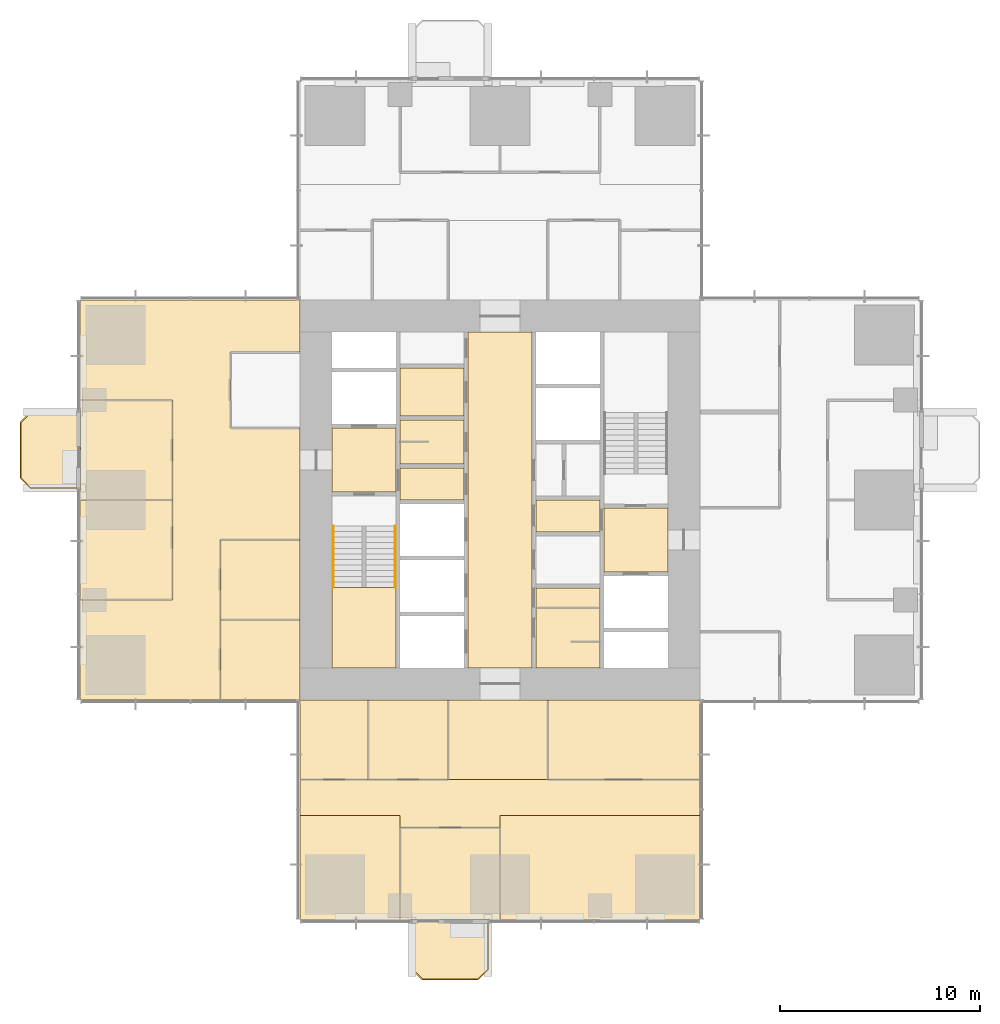
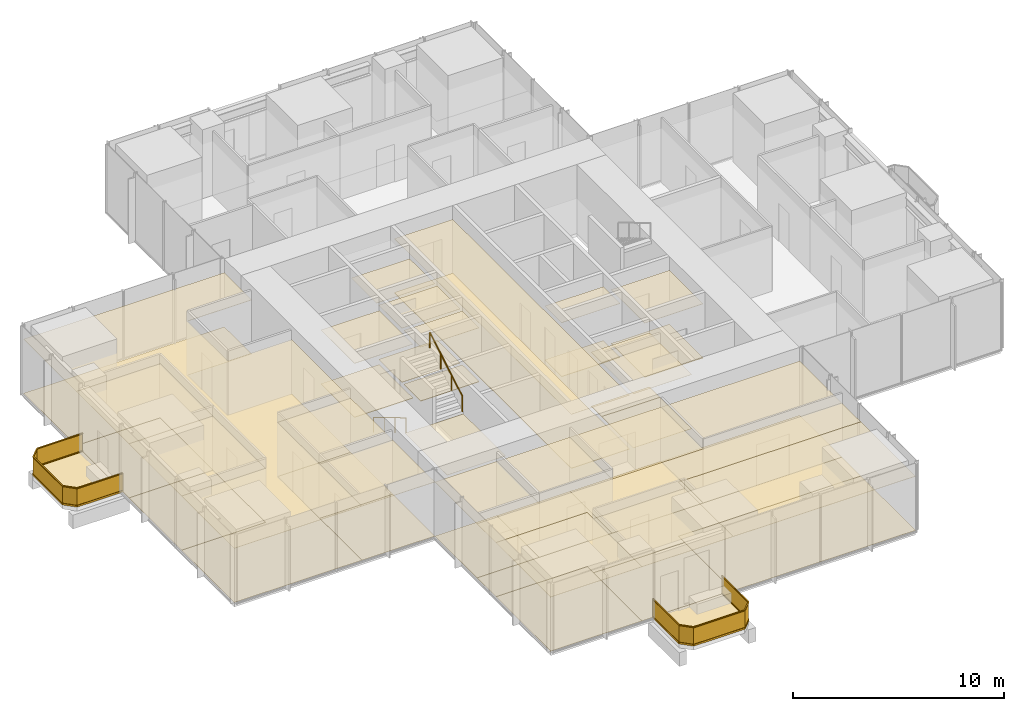
# One storey, part 12 of 14: 46 coverings, 4 railings.
"""IFC4 building model written with IfcOpenShell, lengths in metres."""

from ifc_helpers import new_model, si_unit, direction, frame, origin, origin_2d, place, context, subcontext, project, spatial, polyline, rectangle, circle, outline, extrude, material, layer, layer_set, type_object, element, save


model = new_model("IFC4")

# Units and contexts
model_context = context("Model", 3, precision=1e-05, world=origin(), true_north=direction((0.0, 1.0)))
body_context = subcontext(model_context, "Body", "Model", "MODEL_VIEW")
ifc_project = project(units=[si_unit("LENGTHUNIT", "METRE"), si_unit("AREAUNIT", "SQUARE_METRE"), si_unit("VOLUMEUNIT", "CUBIC_METRE"), si_unit("PLANEANGLEUNIT", "RADIAN"), si_unit("MASSUNIT", "GRAM", prefix="KILO")], contexts=[model_context])

# Site, building, storey
site_placement = place(None, origin())
site = spatial("IfcSite", under=ifc_project, at=site_placement, CompositionType="ELEMENT")
building_placement = place(site_placement, origin())
building = spatial("IfcBuilding", under=site, at=building_placement, Name="Svetlomir Tower", CompositionType="ELEMENT")
storey_placement = place(building_placement, frame((0.0, 0.0, 108.5)))
storey = spatial("IfcBuildingStorey", under=building, at=storey_placement, Name="L25", CompositionType="ELEMENT", Elevation=108.5)

# Railings
ifc_material_1 = material(Name="Bronze anodised aluminium and laminated glass", Category="aluminium")
railing_type_1 = type_object("IfcRailingType", Name="BALCONY GUARD GR1 1100", PredefinedType="GUARDRAIL", material=ifc_material_1)
railing_1_placement = place(storey_placement, frame((16.60009765625, 0.0, 0.0)))
element("IfcRailing", 1, at=railing_1_placement, inside=storey, type_object=railing_type_1, Name="Balcony guard S L25", PredefinedType="GUARDRAIL", context=body_context, shape_type="SweptSolid", body=[
    extrude(rectangle(XDim=0.06005859375, YDim=0.10009765625, at=origin_2d()), frame((0.0, 0.0, 0.050048828125), z_axis=(0.0, -1.0, 0.0), x_axis=(1.0, 0.0, 0.0)), (0.0, 0.0, 1.0), 2.5),
    extrude(rectangle(XDim=0.021484375, YDim=0.960205078125, at=origin_2d()), frame((0.0, 0.0, 0.580078125), z_axis=(0.0, -1.0, 0.0), x_axis=(1.0, 0.0, 0.0)), (0.0, 0.0, 1.0), 2.5),
    extrude(rectangle(XDim=0.06005859375, YDim=0.0400390625, at=origin_2d()), frame((0.0, 0.0, 1.080078125), z_axis=(0.0, -1.0, 0.0), x_axis=(1.0, 0.0, 0.0)), (0.0, 0.0, 1.0), 2.5),
    extrude(rectangle(XDim=0.06005859375, YDim=0.10009765625, at=origin_2d()), frame((0.0, -2.5, 0.050048828125), z_axis=(0.707106781187, -0.707106781187, 0.0), x_axis=(0.707106781187, 0.707106781187, 0.0)), (0.0, 0.0, 1.0), 0.70703125),
    extrude(rectangle(XDim=0.021484375, YDim=0.960205078125, at=origin_2d()), frame((0.0, -2.5, 0.580078125), z_axis=(0.707106781187, -0.707106781187, 0.0), x_axis=(0.707106781187, 0.707106781187, 0.0)), (0.0, 0.0, 1.0), 0.70703125),
    extrude(rectangle(XDim=0.06005859375, YDim=0.0400390625, at=origin_2d()), frame((0.0, -2.5, 1.080078125), z_axis=(0.707106781187, -0.707106781187, 0.0), x_axis=(0.707106781187, 0.707106781187, 0.0)), (0.0, 0.0, 1.0), 0.70703125),
    extrude(rectangle(XDim=0.06005859375, YDim=0.10009765625, at=origin_2d()), frame((0.5, -3.0, 0.050048828125), z_axis=(1.0, 0.0, 0.0), x_axis=(0.0, 1.0, 0.0)), (0.0, 0.0, 1.0), 2.7998046875),
    extrude(rectangle(XDim=0.021484375, YDim=0.960205078125, at=origin_2d()), frame((0.5, -3.0, 0.580078125), z_axis=(1.0, 0.0, 0.0), x_axis=(0.0, 1.0, 0.0)), (0.0, 0.0, 1.0), 2.7998046875),
    extrude(rectangle(XDim=0.06005859375, YDim=0.0400390625, at=origin_2d()), frame((0.5, -3.0, 1.080078125), z_axis=(1.0, 0.0, 0.0), x_axis=(0.0, 1.0, 0.0)), (0.0, 0.0, 1.0), 2.7998046875),
    extrude(rectangle(XDim=0.06005859375, YDim=0.10009765625, at=origin_2d()), frame((3.2998046875, -3.0, 0.050048828125), z_axis=(0.707106781187, 0.707106781187, 0.0), x_axis=(-0.707106781187, 0.707106781187, 0.0)), (0.0, 0.0, 1.0), 0.70703125),
    extrude(rectangle(XDim=0.021484375, YDim=0.960205078125, at=origin_2d()), frame((3.2998046875, -3.0, 0.580078125), z_axis=(0.707106781187, 0.707106781187, 0.0), x_axis=(-0.707106781187, 0.707106781187, 0.0)), (0.0, 0.0, 1.0), 0.70703125),
    extrude(rectangle(XDim=0.06005859375, YDim=0.0400390625, at=origin_2d()), frame((3.2998046875, -3.0, 1.080078125), z_axis=(0.707106781187, 0.707106781187, 0.0), x_axis=(-0.707106781187, 0.707106781187, 0.0)), (0.0, 0.0, 1.0), 0.70703125),
    extrude(rectangle(XDim=0.06005859375, YDim=0.10009765625, at=origin_2d()), frame((3.7998046875, -2.5, 0.050048828125), z_axis=(0.0, 1.0, 0.0), x_axis=(-1.0, 0.0, 0.0)), (0.0, 0.0, 1.0), 2.5),
    extrude(rectangle(XDim=0.021484375, YDim=0.960205078125, at=origin_2d()), frame((3.7998046875, -2.5, 0.580078125), z_axis=(0.0, 1.0, 0.0), x_axis=(-1.0, 0.0, 0.0)), (0.0, 0.0, 1.0), 2.5),
    extrude(rectangle(XDim=0.06005859375, YDim=0.0400390625, at=origin_2d()), frame((3.7998046875, -2.5, 1.080078125), z_axis=(0.0, 1.0, 0.0), x_axis=(-1.0, 0.0, 0.0)), (0.0, 0.0, 1.0), 2.5),
])
railing_2_placement = place(storey_placement, frame((0.0, 25.39990234375, 0.0)))
element("IfcRailing", 2, at=railing_2_placement, inside=storey, type_object=railing_type_1, Name="Balcony guard W L25", PredefinedType="GUARDRAIL", context=body_context, shape_type="SweptSolid", body=[
    extrude(rectangle(XDim=0.06005859375, YDim=0.10009765625, at=origin_2d()), frame((0.0, 0.0, 0.050048828125), z_axis=(-1.0, 0.0, 0.0), x_axis=(0.0, -1.0, 0.0)), (0.0, 0.0, 1.0), 2.5),
    extrude(rectangle(XDim=0.021484375, YDim=0.960205078125, at=origin_2d()), frame((0.0, 0.0, 0.580078125), z_axis=(-1.0, 0.0, 0.0), x_axis=(0.0, -1.0, 0.0)), (0.0, 0.0, 1.0), 2.5),
    extrude(rectangle(XDim=0.06005859375, YDim=0.0400390625, at=origin_2d()), frame((0.0, 0.0, 1.080078125), z_axis=(-1.0, 0.0, 0.0), x_axis=(0.0, -1.0, 0.0)), (0.0, 0.0, 1.0), 2.5),
    extrude(rectangle(XDim=0.06005859375, YDim=0.10009765625, at=origin_2d()), frame((-2.5, 0.0, 0.050048828125), z_axis=(-0.707106781187, -0.707106781187, 0.0), x_axis=(0.707106781187, -0.707106781187, 0.0)), (0.0, 0.0, 1.0), 0.70703125),
    extrude(rectangle(XDim=0.021484375, YDim=0.960205078125, at=origin_2d()), frame((-2.5, 0.0, 0.580078125), z_axis=(-0.707106781187, -0.707106781187, 0.0), x_axis=(0.707106781187, -0.707106781187, 0.0)), (0.0, 0.0, 1.0), 0.70703125),
    extrude(rectangle(XDim=0.06005859375, YDim=0.0400390625, at=origin_2d()), frame((-2.5, 0.0, 1.080078125), z_axis=(-0.707106781187, -0.707106781187, 0.0), x_axis=(0.707106781187, -0.707106781187, 0.0)), (0.0, 0.0, 1.0), 0.70703125),
    extrude(rectangle(XDim=0.06005859375, YDim=0.10009765625, at=origin_2d()), frame((-3.0, -0.5, 0.050048828125), z_axis=(0.0, -1.0, 0.0), x_axis=(1.0, 0.0, 0.0)), (0.0, 0.0, 1.0), 2.7998046875),
    extrude(rectangle(XDim=0.021484375, YDim=0.960205078125, at=origin_2d()), frame((-3.0, -0.5, 0.580078125), z_axis=(0.0, -1.0, 0.0), x_axis=(1.0, 0.0, 0.0)), (0.0, 0.0, 1.0), 2.7998046875),
    extrude(rectangle(XDim=0.06005859375, YDim=0.0400390625, at=origin_2d()), frame((-3.0, -0.5, 1.080078125), z_axis=(0.0, -1.0, 0.0), x_axis=(1.0, 0.0, 0.0)), (0.0, 0.0, 1.0), 2.7998046875),
    extrude(rectangle(XDim=0.06005859375, YDim=0.10009765625, at=origin_2d()), frame((-3.0, -3.2998046875, 0.050048828125), z_axis=(0.707106781187, -0.707106781187, 0.0), x_axis=(0.707106781187, 0.707106781187, 0.0)), (0.0, 0.0, 1.0), 0.70703125),
    extrude(rectangle(XDim=0.021484375, YDim=0.960205078125, at=origin_2d()), frame((-3.0, -3.2998046875, 0.580078125), z_axis=(0.707106781187, -0.707106781187, 0.0), x_axis=(0.707106781187, 0.707106781187, 0.0)), (0.0, 0.0, 1.0), 0.70703125),
    extrude(rectangle(XDim=0.06005859375, YDim=0.0400390625, at=origin_2d()), frame((-3.0, -3.2998046875, 1.080078125), z_axis=(0.707106781187, -0.707106781187, 0.0), x_axis=(0.707106781187, 0.707106781187, 0.0)), (0.0, 0.0, 1.0), 0.70703125),
    extrude(rectangle(XDim=0.06005859375, YDim=0.10009765625, at=origin_2d()), frame((-2.5, -3.7998046875, 0.050048828125), z_axis=(1.0, 0.0, 0.0), x_axis=(0.0, 1.0, 0.0)), (0.0, 0.0, 1.0), 2.5),
    extrude(rectangle(XDim=0.021484375, YDim=0.960205078125, at=origin_2d()), frame((-2.5, -3.7998046875, 0.580078125), z_axis=(1.0, 0.0, 0.0), x_axis=(0.0, 1.0, 0.0)), (0.0, 0.0, 1.0), 2.5),
    extrude(rectangle(XDim=0.06005859375, YDim=0.0400390625, at=origin_2d()), frame((-2.5, -3.7998046875, 1.080078125), z_axis=(1.0, 0.0, 0.0), x_axis=(0.0, 1.0, 0.0)), (0.0, 0.0, 1.0), 2.5),
])

# Coverings
ifc_material_2 = material(Name="Granite paving slabs on pedestals", Category="masonry")
ifc_layer_1 = layer(ifc_material_2, 0.0400390625)
ifc_layer_set_1 = layer_set([ifc_layer_1], Name="Granite paving slabs on pedestals")
covering_type_1 = type_object("IfcCoveringType", Name="BALCONY PAVING 40", PredefinedType="USERDEFINED", material=ifc_layer_set_1)
covering_1_placement = place(storey_placement, origin())
element("IfcCovering", 3, at=covering_1_placement, inside=storey, type_object=covering_type_1, Name="Balcony paving S L25", ObjectType="BALCONY PAVING", PredefinedType="USERDEFINED", context=body_context, shape_type="SweptSolid", body=[
    extrude(outline(polyline([(16.60009765625, -2.5), (17.10009765625, -3.0), (19.89990234375, -3.0), (20.39990234375, -2.5), (20.39990234375, 0.0), (16.60009765625, 0.0), (16.60009765625, -2.5)])), origin(), (0.0, 0.0, 1.0), 0.0400390625),
])
covering_2_placement = place(storey_placement, origin())
element("IfcCovering", 4, at=covering_2_placement, inside=storey, type_object=covering_type_1, Name="Balcony paving W L25", ObjectType="BALCONY PAVING", PredefinedType="USERDEFINED", context=body_context, shape_type="SweptSolid", body=[
    extrude(outline(polyline([(-2.5, 21.60009765625), (0.0, 21.60009765625), (0.0, 25.39990234375), (-2.5, 25.39990234375), (-3.0, 24.89990234375), (-3.0, 22.10009765625), (-2.5, 21.60009765625)])), origin(), (0.0, 0.0, 1.0), 0.0400390625),
])
ifc_material_3 = material(Name="Carpet tile", Category="textile")
ifc_layer_2 = layer(ifc_material_3, 0.010009765625)
ifc_layer_set_2 = layer_set([ifc_layer_2], Name="Carpet tile")
covering_type_2 = type_object("IfcCoveringType", Name="CARPET TILE FLOOR 10", PredefinedType="FLOORING", material=ifc_layer_set_2)
covering_3_placement = place(storey_placement, origin())
element("IfcCovering", 5, at=covering_3_placement, inside=storey, type_object=covering_type_2, Name="Floor finish L25-16", PredefinedType="FLOORING", context=body_context, shape_type="SweptSolid", body=[
    extrude(outline(polyline([(11.0, 7.0), (14.39990234375, 7.0), (14.39990234375, 11.0), (11.0, 11.0), (11.0, 7.0)])), origin(), (0.0, 0.0, 1.0), 0.010009765625),
])
covering_4_placement = place(storey_placement, origin())
element("IfcCovering", 6, at=covering_4_placement, inside=storey, type_object=covering_type_2, Name="Floor finish L25-17", PredefinedType="FLOORING", context=body_context, shape_type="SweptSolid", body=[
    extrude(outline(polyline([(14.39990234375, 7.0), (18.39990234375, 7.0), (18.39990234375, 11.0), (14.39990234375, 11.0), (14.39990234375, 7.0)])), origin(), (0.0, 0.0, 1.0), 0.010009765625),
])
covering_5_placement = place(storey_placement, origin())
element("IfcCovering", 7, at=covering_5_placement, inside=storey, type_object=covering_type_2, Name="Floor finish L25-18", PredefinedType="FLOORING", context=body_context, shape_type="SweptSolid", body=[
    extrude(outline(polyline([(23.39990234375, 7.0), (31.0, 7.0), (31.0, 11.0), (23.39990234375, 11.0), (23.39990234375, 7.0)])), origin(), (0.0, 0.0, 1.0), 0.010009765625),
])
covering_6_placement = place(storey_placement, origin())
element("IfcCovering", 8, at=covering_6_placement, inside=storey, type_object=covering_type_2, Name="Floor finish L25-19", PredefinedType="FLOORING", context=body_context, shape_type="SweptSolid", body=[
    extrude(outline(polyline([(16.0, 0.0), (21.0, 0.0), (21.0, 4.60009765625), (16.0, 4.60009765625), (16.0, 0.0)])), origin(), (0.0, 0.0, 1.0), 0.010009765625),
])
covering_7_placement = place(storey_placement, origin())
element("IfcCovering", 9, at=covering_7_placement, inside=storey, type_object=covering_type_2, Name="Floor finish L25-31", PredefinedType="FLOORING", context=body_context, shape_type="SweptSolid", body=[
    extrude(outline(polyline([(7.0, 11.0), (11.0, 11.0), (11.0, 15.0), (7.0, 15.0), (7.0, 11.0)])), origin(), (0.0, 0.0, 1.0), 0.010009765625),
])
covering_8_placement = place(storey_placement, origin())
element("IfcCovering", 10, at=covering_8_placement, inside=storey, type_object=covering_type_2, Name="Floor finish L25-32", PredefinedType="FLOORING", context=body_context, shape_type="SweptSolid", body=[
    extrude(outline(polyline([(7.0, 15.0), (11.0, 15.0), (11.0, 19.0), (7.0, 19.0), (7.0, 15.0)])), origin(), (0.0, 0.0, 1.0), 0.010009765625),
])
covering_9_placement = place(storey_placement, origin())
element("IfcCovering", 11, at=covering_9_placement, inside=storey, type_object=covering_type_2, Name="Floor finish L25-34", PredefinedType="FLOORING", context=body_context, shape_type="SweptSolid", body=[
    extrude(outline(polyline([(0.0, 16.0), (4.60009765625, 16.0), (4.60009765625, 21.0), (0.0, 21.0), (0.0, 16.0)])), origin(), (0.0, 0.0, 1.0), 0.010009765625),
])
covering_10_placement = place(storey_placement, origin())
element("IfcCovering", 12, at=covering_10_placement, inside=storey, type_object=covering_type_2, Name="Floor finish L25-35", PredefinedType="FLOORING", context=body_context, shape_type="SweptSolid", body=[
    extrude(outline(polyline([(0.0, 21.0), (4.60009765625, 21.0), (4.60009765625, 26.0), (0.0, 26.0), (0.0, 21.0)])), origin(), (0.0, 0.0, 1.0), 0.010009765625),
])
covering_11_placement = place(storey_placement, origin())
element("IfcCovering", 13, at=covering_11_placement, inside=storey, type_object=covering_type_2, Name="Floor finish L25-36", PredefinedType="FLOORING", context=body_context, shape_type="SweptSolid", body=[
    extrude(outline(polyline([(16.0, 4.60009765625), (16.0, 5.199951171875), (11.0, 5.199951171875), (11.0, 7.0), (31.0, 7.0), (31.0, 5.199951171875), (21.0, 5.199951171875), (21.0, 4.60009765625), (16.0, 4.60009765625)])), origin(), (0.0, 0.0, 1.0), 0.010009765625),
])
covering_12_placement = place(storey_placement, origin())
element("IfcCovering", 14, at=covering_12_placement, inside=storey, type_object=covering_type_2, Name="Floor finish L25-38", PredefinedType="FLOORING", context=body_context, shape_type="SweptSolid", body=[
    extrude(outline(polyline([(16.0, 5.199951171875), (16.0, 0.0), (11.0, 0.0), (11.0, 5.199951171875), (16.0, 5.199951171875)])), origin(), (0.0, 0.0, 1.0), 0.010009765625),
])
covering_13_placement = place(storey_placement, origin())
element("IfcCovering", 15, at=covering_13_placement, inside=storey, type_object=covering_type_2, Name="Floor finish L25-39", PredefinedType="FLOORING", context=body_context, shape_type="SweptSolid", body=[
    extrude(outline(polyline([(23.39990234375, 11.0), (23.39990234375, 7.0), (18.39990234375, 7.0), (18.39990234375, 11.0), (23.39990234375, 11.0)])), origin(), (0.0, 0.0, 1.0), 0.010009765625),
])
covering_14_placement = place(storey_placement, origin())
element("IfcCovering", 16, at=covering_14_placement, inside=storey, type_object=covering_type_2, Name="Floor finish L25-40", PredefinedType="FLOORING", context=body_context, shape_type="SweptSolid", body=[
    extrude(outline(polyline([(21.0, 0.0), (21.0, 5.199951171875), (31.0, 5.199951171875), (31.0, 0.0), (21.0, 0.0)])), origin(), (0.0, 0.0, 1.0), 0.010009765625),
])
covering_15_placement = place(storey_placement, origin())
element("IfcCovering", 17, at=covering_15_placement, inside=storey, type_object=covering_type_2, Name="Floor finish L25-45", PredefinedType="FLOORING", context=body_context, shape_type="SweptSolid", body=[
    extrude(outline(polyline([(11.0, 28.39990234375), (7.5, 28.39990234375), (7.5, 24.60009765625), (11.0, 24.60009765625), (11.0, 19.0), (7.0, 19.0), (7.0, 11.0), (0.0, 11.0), (0.0, 16.0), (4.60009765625, 16.0), (4.60009765625, 26.0), (0.0, 26.0), (0.0, 31.0), (11.0, 31.0), (11.0, 28.39990234375)])), origin(), (0.0, 0.0, 1.0), 0.010009765625),
])
ifc_material_4 = material(Name="Ceramic floor tile", Category="ceramic")
ifc_layer_3 = layer(ifc_material_4, 0.014892578125)
ifc_layer_set_3 = layer_set([ifc_layer_3], Name="Ceramic floor tile")
covering_type_3 = type_object("IfcCoveringType", Name="CERAMIC TILE FLOOR 15", PredefinedType="FLOORING", material=ifc_layer_set_3)
covering_16_placement = place(storey_placement, origin())
element("IfcCovering", 18, at=covering_16_placement, inside=storey, type_object=covering_type_3, Name="Floor finish L25-04", PredefinedType="FLOORING", context=body_context, shape_type="SweptSolid", body=[
    extrude(outline(polyline([(16.0, 22.800048828125), (19.199951171875, 22.800048828125), (19.199951171875, 25.0), (16.0, 25.0), (16.0, 22.800048828125)])), origin(), (0.0, 0.0, 1.0), 0.014892578125),
])
covering_17_placement = place(storey_placement, origin())
element("IfcCovering", 19, at=covering_17_placement, inside=storey, type_object=covering_type_3, Name="Floor finish L25-08", PredefinedType="FLOORING", context=body_context, shape_type="SweptSolid", body=[
    extrude(outline(polyline([(22.800048828125, 15.60009765625), (26.0, 15.60009765625), (26.0, 16.60009765625), (22.800048828125, 16.60009765625), (22.800048828125, 15.60009765625)])), origin(), (0.0, 0.0, 1.0), 0.014892578125),
])
covering_18_placement = place(storey_placement, origin())
element("IfcCovering", 20, at=covering_18_placement, inside=storey, type_object=covering_type_3, Name="Floor finish L25-09", PredefinedType="FLOORING", context=body_context, shape_type="SweptSolid", body=[
    extrude(outline(polyline([(22.800048828125, 12.60009765625), (26.0, 12.60009765625), (26.0, 15.60009765625), (22.800048828125, 15.60009765625), (22.800048828125, 12.60009765625)])), origin(), (0.0, 0.0, 1.0), 0.014892578125),
])

# Railings
ifc_material_5 = material(Name="Stainless steel", Category="steel")
railing_type_2 = type_object("IfcRailingType", Name="HANDRAIL HR1 900", PredefinedType="HANDRAIL", material=ifc_material_5)
railing_3_placement = place(storey_placement, frame((12.64990234375, 19.699951171875, 0.166748046875)))
element("IfcRailing", 21, at=railing_3_placement, inside=storey, type_object=railing_type_2, Name="Handrail S1 flight 1 L25", PredefinedType="HANDRAIL", context=body_context, shape_type="SweptSolid", body=[
    extrude(circle(Radius=0.02392578125, at=origin_2d()), frame((0.0, 0.0, 0.8759765625), z_axis=(0.0, -0.859290745958, 0.51148745235), x_axis=(1.0, 0.0, 0.0)), (0.0, 0.0, 1.0), 3.584228515625),
    extrude(circle(Radius=0.02099609375, at=origin_2d()), origin(), (0.0, 0.0, 1.0), 0.851806640625),
    extrude(circle(Radius=0.02099609375, at=origin_2d()), frame((0.0, -1.026611328125, 0.611083984375)), (0.0, 0.0, 1.0), 0.851806640625),
    extrude(circle(Radius=0.02099609375, at=origin_2d()), frame((0.0, -2.05322265625, 1.22216796875)), (0.0, 0.0, 1.0), 0.851806640625),
    extrude(circle(Radius=0.02099609375, at=origin_2d()), frame((0.0, -3.079833984375, 1.833251953125)), (0.0, 0.0, 1.0), 0.851806640625),
])
railing_4_placement = place(storey_placement, frame((15.75, 16.6201171875, 2.166748046875)))
element("IfcRailing", 22, at=railing_4_placement, inside=storey, type_object=railing_type_2, Name="Handrail S1 flight 2 L25", PredefinedType="HANDRAIL", context=body_context, shape_type="SweptSolid", body=[
    extrude(circle(Radius=0.02392578125, at=origin_2d()), frame((0.0, 0.0, 0.8759765625), z_axis=(0.0, 0.859290745958, 0.51148745235), x_axis=(-1.0, 0.0, 0.0)), (0.0, 0.0, 1.0), 3.584228515625),
    extrude(circle(Radius=0.02099609375, at=origin_2d()), origin(), (0.0, 0.0, 1.0), 0.851806640625),
    extrude(circle(Radius=0.02099609375, at=origin_2d()), frame((0.0, 1.026611328125, 0.611083984375)), (0.0, 0.0, 1.0), 0.851806640625),
    extrude(circle(Radius=0.02099609375, at=origin_2d()), frame((0.0, 2.05322265625, 1.22216796875)), (0.0, 0.0, 1.0), 0.851806640625),
    extrude(circle(Radius=0.02099609375, at=origin_2d()), frame((0.0, 3.079833984375, 1.833251953125)), (0.0, 0.0, 1.0), 0.851806640625),
])

# Coverings
ifc_material_6 = material(Name="Moisture resistant plasterboard ceiling", Category="gypsum")
ifc_layer_4 = layer(ifc_material_6, 0.012451171875)
ifc_layer_set_4 = layer_set([ifc_layer_4], Name="Moisture resistant plasterboard ceiling")
covering_type_4 = type_object("IfcCoveringType", Name="MOISTURE RESISTANT CEILING 12.5", PredefinedType="CEILING", material=ifc_layer_set_4)
covering_19_placement = place(storey_placement, frame((0.0, 0.0, 3.137451171875)))
element("IfcCovering", 23, at=covering_19_placement, inside=storey, type_object=covering_type_4, Name="Ceiling L25-04", PredefinedType="CEILING", context=body_context, shape_type="SweptSolid", body=[
    extrude(outline(polyline([(16.0, 22.800048828125), (19.199951171875, 22.800048828125), (19.199951171875, 25.0), (16.0, 25.0), (16.0, 22.800048828125)])), origin(), (0.0, 0.0, 1.0), 0.012451171875),
])
covering_20_placement = place(storey_placement, frame((0.0, 0.0, 3.137451171875)))
element("IfcCovering", 24, at=covering_20_placement, inside=storey, type_object=covering_type_4, Name="Ceiling L25-05", PredefinedType="CEILING", context=body_context, shape_type="SweptSolid", body=[
    extrude(outline(polyline([(16.0, 25.199951171875), (19.199951171875, 25.199951171875), (19.199951171875, 27.60009765625), (16.0, 27.60009765625), (16.0, 25.199951171875)])), origin(), (0.0, 0.0, 1.0), 0.012451171875),
])
covering_21_placement = place(storey_placement, frame((0.0, 0.0, 3.137451171875)))
element("IfcCovering", 25, at=covering_21_placement, inside=storey, type_object=covering_type_4, Name="Ceiling L25-08", PredefinedType="CEILING", context=body_context, shape_type="SweptSolid", body=[
    extrude(outline(polyline([(22.800048828125, 15.60009765625), (26.0, 15.60009765625), (26.0, 16.60009765625), (22.800048828125, 16.60009765625), (22.800048828125, 15.60009765625)])), origin(), (0.0, 0.0, 1.0), 0.012451171875),
])
covering_22_placement = place(storey_placement, frame((0.0, 0.0, 3.137451171875)))
element("IfcCovering", 26, at=covering_22_placement, inside=storey, type_object=covering_type_4, Name="Ceiling L25-09", PredefinedType="CEILING", context=body_context, shape_type="SweptSolid", body=[
    extrude(outline(polyline([(22.800048828125, 12.60009765625), (26.0, 12.60009765625), (26.0, 15.60009765625), (22.800048828125, 15.60009765625), (22.800048828125, 12.60009765625)])), origin(), (0.0, 0.0, 1.0), 0.012451171875),
])
ifc_material_7 = material(Name="Gypsum plasterboard ceiling", Category="gypsum")
ifc_layer_5 = layer(ifc_material_7, 0.014892578125)
ifc_layer_set_5 = layer_set([ifc_layer_5], Name="Gypsum plasterboard ceiling")
covering_type_5 = type_object("IfcCoveringType", Name="PLASTERBOARD CEILING 15", PredefinedType="CEILING", material=ifc_layer_set_5)
covering_23_placement = place(storey_placement, frame((0.0, 0.0, 3.135009765625)))
element("IfcCovering", 27, at=covering_23_placement, inside=storey, type_object=covering_type_5, Name="Ceiling L25-02", PredefinedType="CEILING", context=body_context, shape_type="SweptSolid", body=[
    extrude(outline(polyline([(12.60009765625, 21.39990234375), (15.800048828125, 21.39990234375), (15.800048828125, 24.60009765625), (12.60009765625, 24.60009765625), (12.60009765625, 21.39990234375)])), origin(), (0.0, 0.0, 1.0), 0.014892578125),
])
covering_24_placement = place(storey_placement, frame((0.0, 0.0, 3.135009765625)))
element("IfcCovering", 28, at=covering_24_placement, inside=storey, type_object=covering_type_5, Name="Ceiling L25-03", PredefinedType="CEILING", context=body_context, shape_type="SweptSolid", body=[
    extrude(outline(polyline([(16.0, 21.0), (19.199951171875, 21.0), (19.199951171875, 22.60009765625), (16.0, 22.60009765625), (16.0, 21.0)])), origin(), (0.0, 0.0, 1.0), 0.014892578125),
])
covering_25_placement = place(storey_placement, frame((0.0, 0.0, 3.135009765625)))
element("IfcCovering", 29, at=covering_25_placement, inside=storey, type_object=covering_type_5, Name="Ceiling L25-07", PredefinedType="CEILING", context=body_context, shape_type="SweptSolid", body=[
    extrude(outline(polyline([(19.39990234375, 12.60009765625), (22.60009765625, 12.60009765625), (22.60009765625, 29.39990234375), (19.39990234375, 29.39990234375), (19.39990234375, 12.60009765625)])), origin(), (0.0, 0.0, 1.0), 0.014892578125),
])
covering_26_placement = place(storey_placement, frame((0.0, 0.0, 3.135009765625)))
element("IfcCovering", 30, at=covering_26_placement, inside=storey, type_object=covering_type_5, Name="Ceiling L25-11", PredefinedType="CEILING", context=body_context, shape_type="SweptSolid", body=[
    extrude(outline(polyline([(22.800048828125, 19.39990234375), (26.0, 19.39990234375), (26.0, 21.0), (22.800048828125, 21.0), (22.800048828125, 19.39990234375)])), origin(), (0.0, 0.0, 1.0), 0.014892578125),
])
covering_27_placement = place(storey_placement, frame((0.0, 0.0, 3.135009765625)))
element("IfcCovering", 31, at=covering_27_placement, inside=storey, type_object=covering_type_5, Name="Ceiling L25-12", PredefinedType="CEILING", context=body_context, shape_type="SweptSolid", body=[
    extrude(outline(polyline([(26.199951171875, 17.39990234375), (29.39990234375, 17.39990234375), (29.39990234375, 20.60009765625), (26.199951171875, 20.60009765625), (26.199951171875, 17.39990234375)])), origin(), (0.0, 0.0, 1.0), 0.014892578125),
])
ifc_material_8 = material(Name="Studded rubber floor finish", Category="rubber")
ifc_layer_6 = layer(ifc_material_8, 0.006103515625)
ifc_layer_set_6 = layer_set([ifc_layer_6], Name="Studded rubber floor finish")
covering_type_6 = type_object("IfcCoveringType", Name="RUBBER LANDING FINISH 6", PredefinedType="FLOORING", material=ifc_layer_set_6)
covering_28_placement = place(storey_placement, frame((0.0, 0.0, 2.0)))
element("IfcCovering", 32, at=covering_28_placement, inside=storey, type_object=covering_type_6, Name="Stair S1 landing finish L25", PredefinedType="FLOORING", context=body_context, shape_type="SweptSolid", body=[
    extrude(outline(polyline([(12.60009765625, 12.60009765625), (15.800048828125, 12.60009765625), (15.800048828125, 16.6201171875), (12.60009765625, 16.6201171875), (12.60009765625, 12.60009765625)])), origin(), (0.0, 0.0, 1.0), 0.006103515625),
])
ifc_material_9 = material(Name="Mineral fibre ceiling tile", Category="mineral")
ifc_layer_7 = layer(ifc_material_9, 0.02001953125)
ifc_layer_set_7 = layer_set([ifc_layer_7], Name="Mineral fibre ceiling tile")
covering_type_7 = type_object("IfcCoveringType", Name="SUSPENDED CEILING 20", PredefinedType="CEILING", material=ifc_layer_set_7)
covering_29_placement = place(storey_placement, frame((0.0, 0.0, 3.1298828125)))
element("IfcCovering", 33, at=covering_29_placement, inside=storey, type_object=covering_type_7, Name="Ceiling L25-16", PredefinedType="CEILING", context=body_context, shape_type="SweptSolid", body=[
    extrude(outline(polyline([(11.0, 7.0), (14.39990234375, 7.0), (14.39990234375, 11.0), (11.0, 11.0), (11.0, 7.0)])), origin(), (0.0, 0.0, 1.0), 0.02001953125),
])
covering_30_placement = place(storey_placement, frame((0.0, 0.0, 3.1298828125)))
element("IfcCovering", 34, at=covering_30_placement, inside=storey, type_object=covering_type_7, Name="Ceiling L25-17", PredefinedType="CEILING", context=body_context, shape_type="SweptSolid", body=[
    extrude(outline(polyline([(14.39990234375, 7.0), (18.39990234375, 7.0), (18.39990234375, 11.0), (14.39990234375, 11.0), (14.39990234375, 7.0)])), origin(), (0.0, 0.0, 1.0), 0.02001953125),
])
covering_31_placement = place(storey_placement, frame((0.0, 0.0, 3.1298828125)))
element("IfcCovering", 35, at=covering_31_placement, inside=storey, type_object=covering_type_7, Name="Ceiling L25-18", PredefinedType="CEILING", context=body_context, shape_type="SweptSolid", body=[
    extrude(outline(polyline([(23.39990234375, 7.0), (31.0, 7.0), (31.0, 11.0), (23.39990234375, 11.0), (23.39990234375, 7.0)])), origin(), (0.0, 0.0, 1.0), 0.02001953125),
])
covering_32_placement = place(storey_placement, frame((0.0, 0.0, 3.1298828125)))
element("IfcCovering", 36, at=covering_32_placement, inside=storey, type_object=covering_type_7, Name="Ceiling L25-19", PredefinedType="CEILING", context=body_context, shape_type="SweptSolid", body=[
    extrude(outline(polyline([(16.0, 0.0), (21.0, 0.0), (21.0, 4.60009765625), (16.0, 4.60009765625), (16.0, 0.0)])), origin(), (0.0, 0.0, 1.0), 0.02001953125),
])
covering_33_placement = place(storey_placement, frame((0.0, 0.0, 3.1298828125)))
element("IfcCovering", 37, at=covering_33_placement, inside=storey, type_object=covering_type_7, Name="Ceiling L25-31", PredefinedType="CEILING", context=body_context, shape_type="SweptSolid", body=[
    extrude(outline(polyline([(7.0, 11.0), (11.0, 11.0), (11.0, 15.0), (7.0, 15.0), (7.0, 11.0)])), origin(), (0.0, 0.0, 1.0), 0.02001953125),
])
covering_34_placement = place(storey_placement, frame((0.0, 0.0, 3.1298828125)))
element("IfcCovering", 38, at=covering_34_placement, inside=storey, type_object=covering_type_7, Name="Ceiling L25-32", PredefinedType="CEILING", context=body_context, shape_type="SweptSolid", body=[
    extrude(outline(polyline([(7.0, 15.0), (11.0, 15.0), (11.0, 19.0), (7.0, 19.0), (7.0, 15.0)])), origin(), (0.0, 0.0, 1.0), 0.02001953125),
])
covering_35_placement = place(storey_placement, frame((0.0, 0.0, 3.1298828125)))
element("IfcCovering", 39, at=covering_35_placement, inside=storey, type_object=covering_type_7, Name="Ceiling L25-34", PredefinedType="CEILING", context=body_context, shape_type="SweptSolid", body=[
    extrude(outline(polyline([(0.0, 16.0), (4.60009765625, 16.0), (4.60009765625, 21.0), (0.0, 21.0), (0.0, 16.0)])), origin(), (0.0, 0.0, 1.0), 0.02001953125),
])
covering_36_placement = place(storey_placement, frame((0.0, 0.0, 3.1298828125)))
element("IfcCovering", 40, at=covering_36_placement, inside=storey, type_object=covering_type_7, Name="Ceiling L25-35", PredefinedType="CEILING", context=body_context, shape_type="SweptSolid", body=[
    extrude(outline(polyline([(0.0, 21.0), (4.60009765625, 21.0), (4.60009765625, 26.0), (0.0, 26.0), (0.0, 21.0)])), origin(), (0.0, 0.0, 1.0), 0.02001953125),
])
covering_37_placement = place(storey_placement, frame((0.0, 0.0, 3.1298828125)))
element("IfcCovering", 41, at=covering_37_placement, inside=storey, type_object=covering_type_7, Name="Ceiling L25-36", PredefinedType="CEILING", context=body_context, shape_type="SweptSolid", body=[
    extrude(outline(polyline([(16.0, 4.60009765625), (16.0, 5.199951171875), (11.0, 5.199951171875), (11.0, 7.0), (31.0, 7.0), (31.0, 5.199951171875), (21.0, 5.199951171875), (21.0, 4.60009765625), (16.0, 4.60009765625)])), origin(), (0.0, 0.0, 1.0), 0.02001953125),
])
covering_38_placement = place(storey_placement, frame((0.0, 0.0, 3.1298828125)))
element("IfcCovering", 42, at=covering_38_placement, inside=storey, type_object=covering_type_7, Name="Ceiling L25-38", PredefinedType="CEILING", context=body_context, shape_type="SweptSolid", body=[
    extrude(outline(polyline([(16.0, 5.199951171875), (16.0, 0.0), (11.0, 0.0), (11.0, 5.199951171875), (16.0, 5.199951171875)])), origin(), (0.0, 0.0, 1.0), 0.02001953125),
])
covering_39_placement = place(storey_placement, frame((0.0, 0.0, 3.1298828125)))
element("IfcCovering", 43, at=covering_39_placement, inside=storey, type_object=covering_type_7, Name="Ceiling L25-39", PredefinedType="CEILING", context=body_context, shape_type="SweptSolid", body=[
    extrude(outline(polyline([(23.39990234375, 11.0), (23.39990234375, 7.0), (18.39990234375, 7.0), (18.39990234375, 11.0), (23.39990234375, 11.0)])), origin(), (0.0, 0.0, 1.0), 0.02001953125),
])
covering_40_placement = place(storey_placement, frame((0.0, 0.0, 3.1298828125)))
element("IfcCovering", 44, at=covering_40_placement, inside=storey, type_object=covering_type_7, Name="Ceiling L25-40", PredefinedType="CEILING", context=body_context, shape_type="SweptSolid", body=[
    extrude(outline(polyline([(21.0, 0.0), (21.0, 5.199951171875), (31.0, 5.199951171875), (31.0, 0.0), (21.0, 0.0)])), origin(), (0.0, 0.0, 1.0), 0.02001953125),
])
covering_41_placement = place(storey_placement, frame((0.0, 0.0, 3.1298828125)))
element("IfcCovering", 45, at=covering_41_placement, inside=storey, type_object=covering_type_7, Name="Ceiling L25-45", PredefinedType="CEILING", context=body_context, shape_type="SweptSolid", body=[
    extrude(outline(polyline([(11.0, 28.39990234375), (7.5, 28.39990234375), (7.5, 24.60009765625), (11.0, 24.60009765625), (11.0, 19.0), (7.0, 19.0), (7.0, 11.0), (0.0, 11.0), (0.0, 16.0), (4.60009765625, 16.0), (4.60009765625, 26.0), (0.0, 26.0), (0.0, 31.0), (11.0, 31.0), (11.0, 28.39990234375)])), origin(), (0.0, 0.0, 1.0), 0.02001953125),
])
ifc_material_10 = material(Name="Bronze-aggregate terrazzo", Category="stone")
ifc_layer_8 = layer(ifc_material_10, 0.030029296875)
ifc_layer_set_8 = layer_set([ifc_layer_8], Name="Bronze-aggregate terrazzo")
covering_type_8 = type_object("IfcCoveringType", Name="TERRAZZO FLOOR 30", PredefinedType="FLOORING", material=ifc_layer_set_8)
covering_42_placement = place(storey_placement, origin())
element("IfcCovering", 46, at=covering_42_placement, inside=storey, type_object=covering_type_8, Name="Floor finish L25-02", PredefinedType="FLOORING", context=body_context, shape_type="SweptSolid", body=[
    extrude(outline(polyline([(12.60009765625, 21.39990234375), (15.800048828125, 21.39990234375), (15.800048828125, 24.60009765625), (12.60009765625, 24.60009765625), (12.60009765625, 21.39990234375)])), origin(), (0.0, 0.0, 1.0), 0.030029296875),
])
covering_43_placement = place(storey_placement, origin())
element("IfcCovering", 47, at=covering_43_placement, inside=storey, type_object=covering_type_8, Name="Floor finish L25-03", PredefinedType="FLOORING", context=body_context, shape_type="SweptSolid", body=[
    extrude(outline(polyline([(16.0, 21.0), (19.199951171875, 21.0), (19.199951171875, 22.60009765625), (16.0, 22.60009765625), (16.0, 21.0)])), origin(), (0.0, 0.0, 1.0), 0.030029296875),
])
covering_44_placement = place(storey_placement, origin())
element("IfcCovering", 48, at=covering_44_placement, inside=storey, type_object=covering_type_8, Name="Floor finish L25-07", PredefinedType="FLOORING", context=body_context, shape_type="SweptSolid", body=[
    extrude(outline(polyline([(19.39990234375, 12.60009765625), (22.60009765625, 12.60009765625), (22.60009765625, 29.39990234375), (19.39990234375, 29.39990234375), (19.39990234375, 12.60009765625)])), origin(), (0.0, 0.0, 1.0), 0.030029296875),
])
covering_45_placement = place(storey_placement, origin())
element("IfcCovering", 49, at=covering_45_placement, inside=storey, type_object=covering_type_8, Name="Floor finish L25-11", PredefinedType="FLOORING", context=body_context, shape_type="SweptSolid", body=[
    extrude(outline(polyline([(22.800048828125, 19.39990234375), (26.0, 19.39990234375), (26.0, 21.0), (22.800048828125, 21.0), (22.800048828125, 19.39990234375)])), origin(), (0.0, 0.0, 1.0), 0.030029296875),
])
covering_46_placement = place(storey_placement, origin())
element("IfcCovering", 50, at=covering_46_placement, inside=storey, type_object=covering_type_8, Name="Floor finish L25-12", PredefinedType="FLOORING", context=body_context, shape_type="SweptSolid", body=[
    extrude(outline(polyline([(26.199951171875, 17.39990234375), (29.39990234375, 17.39990234375), (29.39990234375, 20.60009765625), (26.199951171875, 20.60009765625), (26.199951171875, 17.39990234375)])), origin(), (0.0, 0.0, 1.0), 0.030029296875),
])

save(model, "model.ifc")
